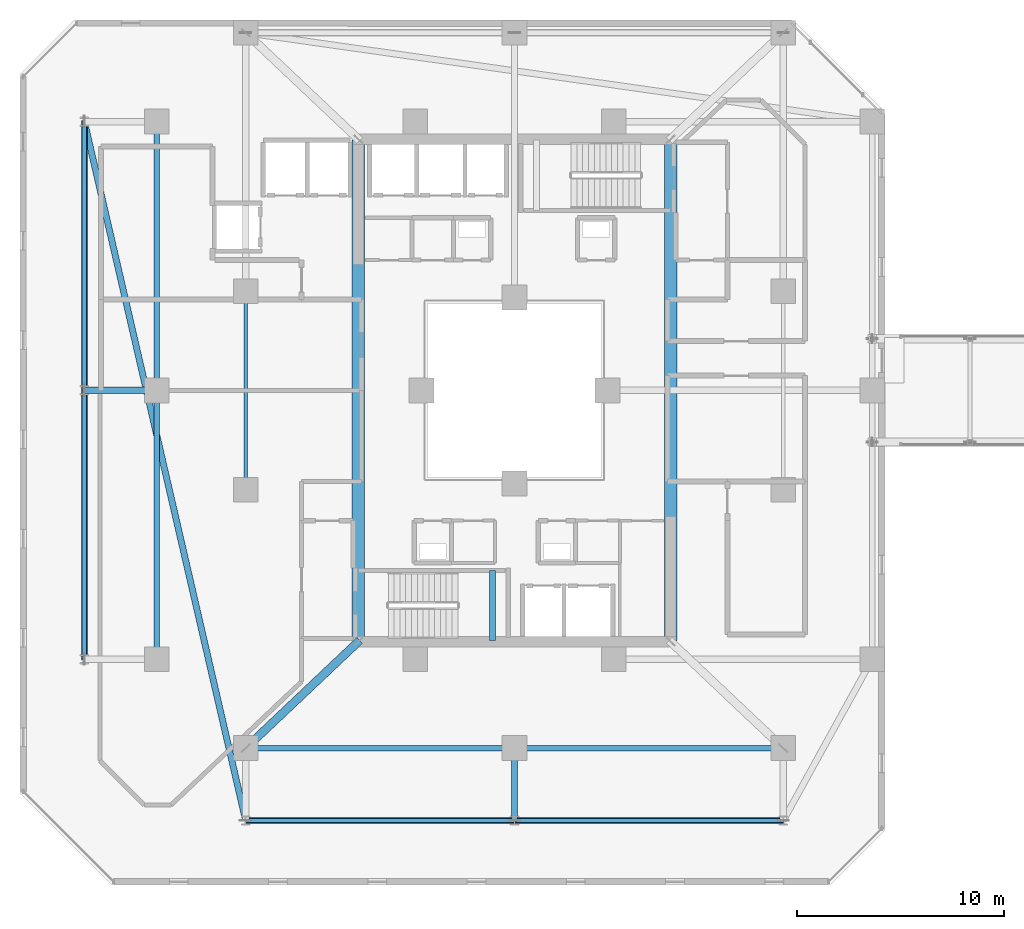
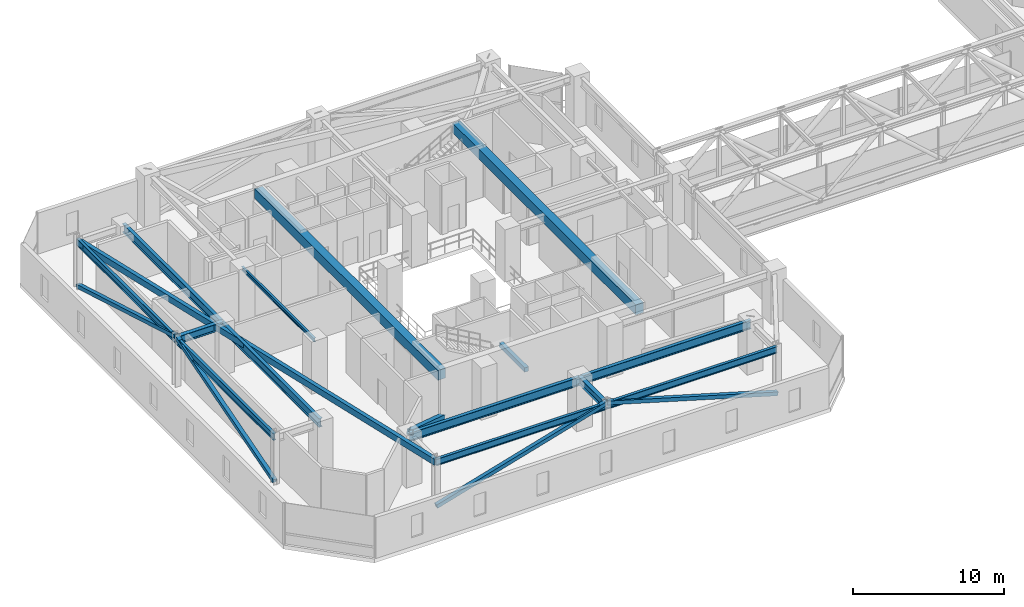
# One storey, part 4 of 45: 15 beams, 5 members.
"""IFC4 building model written with IfcOpenShell, lengths in metres."""

from ifc_helpers import new_model, si_unit, direction, frame, origin, origin_2d, place, context, subcontext, project, spatial, rectangle, hollow_rectangle, i_section, extrude, material, material_profile, profile_set, type_object, element, save


model = new_model("IFC4")

# Units and contexts
model_context = context("Model", 3, precision=1e-05, world=origin(), true_north=direction((0.0, 1.0)))
body_context = subcontext(model_context, "Body", "Model", "MODEL_VIEW")
ifc_project = project(units=[si_unit("LENGTHUNIT", "METRE"), si_unit("AREAUNIT", "SQUARE_METRE"), si_unit("VOLUMEUNIT", "CUBIC_METRE"), si_unit("PLANEANGLEUNIT", "RADIAN"), si_unit("MASSUNIT", "GRAM", prefix="KILO")], contexts=[model_context])

# Site, building, storey
site_placement = place(None, origin())
site = spatial("IfcSite", under=ifc_project, at=site_placement, CompositionType="ELEMENT")
building_placement = place(site_placement, origin())
building = spatial("IfcBuilding", under=site, at=building_placement, Name="Thornwick Lancets Civic Towers", CompositionType="ELEMENT")
storey_placement = place(building_placement, frame((0.0, 0.0, 141.300048828125)))
storey = spatial("IfcBuildingStorey", under=building, at=storey_placement, Name="L37", CompositionType="ELEMENT", Elevation=141.300048828125)

# Beams
ifc_material_1 = material(Name="Concrete C60/75", Category="concrete")
ifc_material_profile_1 = material_profile(ifc_material_1, rectangle(XDim=0.60009765625, YDim=0.800048828125, at=origin_2d()), Name="RC 600x800")
ifc_profile_set_1 = profile_set([ifc_material_profile_1], Name="Concrete C60/75")
beam_type_1 = type_object("IfcBeamType", Name="BM_COUP_RC800", PredefinedType="BEAM", material=ifc_profile_set_1)
for number, where, z_axis, x_axis, name in (
    (1, (33.050048828125, 14.89990234375, 3.56005859375), (0.0, 1.0, 0.0), (-1.0, 0.0, 0.0), "CB-L37-A1"),
    (2, (17.949951171875, 14.89990234375, 3.56005859375), (0.0, 1.0, 0.0), (-1.0, 0.0, 0.0), "CB-L37-A2"),
):
    element("IfcBeam", number, at=place(storey_placement, frame(where, z_axis=z_axis, x_axis=x_axis)), inside=storey, type_object=beam_type_1, Name=name, PredefinedType="BEAM", context=body_context, shape_type="SweptSolid", body=[
        extrude(rectangle(XDim=0.60009765625, YDim=0.800048828125, at=origin_2d()), origin(), (0.0, 0.0, 1.0), 24.2001953125),
    ])
ifc_material_2 = material(Name="Steel S355JR", Category="steel")
ifc_material_profile_2 = material_profile(ifc_material_2, i_section(OverallWidth=0.2119140625, OverallDepth=0.54443359375, WebThickness=0.0126953125, FlangeThickness=0.021240234375, FilletRadius=0.0126953125, at=origin_2d()), Name="UKB 533x210x122")
ifc_profile_set_2 = profile_set([ifc_material_profile_2], Name="Steel S355JR")
beam_type_2 = type_object("IfcBeamType", Name="BM_EDGE_533_122", PredefinedType="SPANDREL", material=ifc_profile_set_2)
beam_1_placement = place(storey_placement, frame((12.5, 6.199951171875, 3.687744140625), z_axis=(1.0, 0.0, 0.0), x_axis=(0.0, 1.0, 0.0)))
element("IfcBeam", 3, at=beam_1_placement, inside=storey, type_object=beam_type_2, Name="BM-EDGE-L37-A-S0-1", PredefinedType="SPANDREL", context=body_context, shape_type="SweptSolid", body=[
    extrude(i_section(OverallWidth=0.2119140625, OverallDepth=0.54443359375, WebThickness=0.0126953125, FlangeThickness=0.021240234375, FilletRadius=0.0126953125, at=origin_2d()), origin(), (0.0, 0.0, 1.0), 13.0),
])
beam_2_placement = place(storey_placement, frame((25.580078125, 6.199951171875, 3.687744140625), z_axis=(1.0, 0.0, 0.0), x_axis=(0.0, 1.0, 0.0)))
element("IfcBeam", 4, at=beam_2_placement, inside=storey, type_object=beam_type_2, Name="BM-EDGE-L37-A-S0-2", PredefinedType="SPANDREL", context=body_context, shape_type="SweptSolid", body=[
    extrude(i_section(OverallWidth=0.2119140625, OverallDepth=0.54443359375, WebThickness=0.0126953125, FlangeThickness=0.021240234375, FilletRadius=0.0126953125, at=origin_2d()), origin(), (0.0, 0.0, 1.0), 12.919921875),
])
beam_3_placement = place(storey_placement, frame((4.699951171875, 14.0, 3.687744140625), z_axis=(0.0, 1.0, 0.0), x_axis=(-1.0, 0.0, 0.0)))
element("IfcBeam", 5, at=beam_3_placement, inside=storey, type_object=beam_type_2, Name="BM-EDGE-L37-A-S3-1", PredefinedType="SPANDREL", context=body_context, shape_type="SweptSolid", body=[
    extrude(i_section(OverallWidth=0.2119140625, OverallDepth=0.54443359375, WebThickness=0.0126953125, FlangeThickness=0.021240234375, FilletRadius=0.0126953125, at=origin_2d()), origin(), (0.0, 0.0, 1.0), 13.0),
])
beam_4_placement = place(storey_placement, frame((4.699951171875, 27.080078125, 3.687744140625), z_axis=(0.0, 1.0, 0.0), x_axis=(-1.0, 0.0, 0.0)))
element("IfcBeam", 6, at=beam_4_placement, inside=storey, type_object=beam_type_2, Name="BM-EDGE-L37-A-S3-2", PredefinedType="SPANDREL", context=body_context, shape_type="SweptSolid", body=[
    extrude(i_section(OverallWidth=0.2119140625, OverallDepth=0.54443359375, WebThickness=0.0126953125, FlangeThickness=0.021240234375, FilletRadius=0.0126953125, at=origin_2d()), origin(), (0.0, 0.0, 1.0), 12.919921875),
])
ifc_material_profile_3 = material_profile(ifc_material_2, i_section(OverallWidth=0.30712890625, OverallDepth=0.6201171875, WebThickness=0.01416015625, FlangeThickness=0.023681640625, FilletRadius=0.0166015625, at=origin_2d()), Name="UKB 610x305x179")
ifc_profile_set_3 = profile_set([ifc_material_profile_3], Name="Steel S355JR")
beam_type_3 = type_object("IfcBeamType", Name="BM_GIRD_610_179", PredefinedType="BEAM", material=ifc_profile_set_3)
for number, where, z_axis, x_axis, name in (
    (7, (25.5, 9.699951171875, 3.64990234375), (0.0, -1.0, 0.0), (1.0, 0.0, 0.0), "BM-RAD-L37-A02"),
    (8, (8.199951171875, 27.0, 3.64990234375), (-1.0, 0.0, 0.0), (0.0, -1.0, 0.0), "BM-RAD-L37-A11"),
):
    element("IfcBeam", number, at=place(storey_placement, frame(where, z_axis=z_axis, x_axis=x_axis)), inside=storey, type_object=beam_type_3, Name=name, PredefinedType="BEAM", context=body_context, shape_type="SweptSolid", body=[
        extrude(i_section(OverallWidth=0.30712890625, OverallDepth=0.6201171875, WebThickness=0.01416015625, FlangeThickness=0.023681640625, FilletRadius=0.0166015625, at=origin_2d()), origin(), (0.0, 0.0, 1.0), 3.5),
    ])
ifc_material_profile_4 = material_profile(ifc_material_2, i_section(OverallWidth=0.255859375, OverallDepth=0.69287109375, WebThickness=0.014404296875, FlangeThickness=0.023681640625, FilletRadius=0.01513671875, at=origin_2d()), Name="UKB 686x254x170")
ifc_profile_set_4 = profile_set([ifc_material_profile_4], Name="Steel S355JR")
beam_type_4 = type_object("IfcBeamType", Name="BM_GIRD_686_170", PredefinedType="BEAM", material=ifc_profile_set_4)
beam_5_placement = place(storey_placement, frame((12.5, 9.699951171875, 3.613525390625), z_axis=(1.0, 0.0, 0.0), x_axis=(0.0, 1.0, 0.0)))
element("IfcBeam", 9, at=beam_5_placement, inside=storey, type_object=beam_type_4, Name="BM-SPINE-L37-A-0-1", PredefinedType="BEAM", context=body_context, shape_type="SweptSolid", body=[
    extrude(i_section(OverallWidth=0.255859375, OverallDepth=0.69287109375, WebThickness=0.014404296875, FlangeThickness=0.023681640625, FilletRadius=0.01513671875, at=origin_2d()), origin(), (0.0, 0.0, 1.0), 13.0),
])
beam_6_placement = place(storey_placement, frame((25.580078125, 9.699951171875, 3.613525390625), z_axis=(1.0, 0.0, 0.0), x_axis=(0.0, 1.0, 0.0)))
element("IfcBeam", 10, at=beam_6_placement, inside=storey, type_object=beam_type_4, Name="BM-SPINE-L37-A-1-2", PredefinedType="BEAM", context=body_context, shape_type="SweptSolid", body=[
    extrude(i_section(OverallWidth=0.255859375, OverallDepth=0.69287109375, WebThickness=0.014404296875, FlangeThickness=0.023681640625, FilletRadius=0.01513671875, at=origin_2d()), origin(), (0.0, 0.0, 1.0), 12.919921875),
])
beam_7_placement = place(storey_placement, frame((8.199951171875, 14.0, 3.613525390625), z_axis=(0.0, 1.0, 0.0), x_axis=(-1.0, 0.0, 0.0)))
element("IfcBeam", 11, at=beam_7_placement, inside=storey, type_object=beam_type_4, Name="BM-SPINE-L37-A-9-10", PredefinedType="BEAM", context=body_context, shape_type="SweptSolid", body=[
    extrude(i_section(OverallWidth=0.255859375, OverallDepth=0.69287109375, WebThickness=0.014404296875, FlangeThickness=0.023681640625, FilletRadius=0.01513671875, at=origin_2d()), origin(), (0.0, 0.0, 1.0), 13.0),
])
beam_8_placement = place(storey_placement, frame((8.199951171875, 27.080078125, 3.613525390625), z_axis=(0.0, 1.0, 0.0), x_axis=(-1.0, 0.0, 0.0)))
element("IfcBeam", 12, at=beam_8_placement, inside=storey, type_object=beam_type_4, Name="BM-SPINE-L37-A-10-11", PredefinedType="BEAM", context=body_context, shape_type="SweptSolid", body=[
    extrude(i_section(OverallWidth=0.255859375, OverallDepth=0.69287109375, WebThickness=0.014404296875, FlangeThickness=0.023681640625, FilletRadius=0.01513671875, at=origin_2d()), origin(), (0.0, 0.0, 1.0), 12.919921875),
])
ifc_material_profile_5 = material_profile(ifc_material_2, i_section(OverallWidth=0.1669921875, OverallDepth=0.310302734375, WebThickness=0.0078125, FlangeThickness=0.013671875, FilletRadius=0.0087890625, at=origin_2d()), Name="UKB 305x165x54")
ifc_profile_set_5 = profile_set([ifc_material_profile_5], Name="Steel S355JR")
beam_type_5 = type_object("IfcBeamType", Name="BM_LINTEL_305_54", PredefinedType="LINTEL", material=ifc_profile_set_5)
beam_9_placement = place(storey_placement, frame((12.5, 22.199951171875, 3.8046875), z_axis=(0.0, 1.0, 0.0), x_axis=(-1.0, 0.0, 0.0)))
element("IfcBeam", 13, at=beam_9_placement, inside=storey, type_object=beam_type_5, Name="BM-INSP-L37-A-0-2", PredefinedType="LINTEL", context=body_context, shape_type="SweptSolid", body=[
    extrude(i_section(OverallWidth=0.1669921875, OverallDepth=0.310302734375, WebThickness=0.0078125, FlangeThickness=0.013671875, FilletRadius=0.0087890625, at=origin_2d()), origin(), (0.0, 0.0, 1.0), 9.60009765625),
])
ifc_material_3 = material(Name="Steel S460M", Category="steel")
ifc_material_profile_6 = material_profile(ifc_material_3, hollow_rectangle(XDim=0.300048828125, YDim=0.5, WallThickness=0.02001953125, at=origin_2d()), Name="RHS 500x300x20")
ifc_profile_set_6 = profile_set([ifc_material_profile_6], Name="Steel S460M")
beam_type_6 = type_object("IfcBeamType", Name="BM_RING_RHS500", PredefinedType="BEAM", material=ifc_profile_set_6)
beam_10_placement = place(storey_placement, frame((4.699951171875, 40.0, 3.7099609375), z_axis=(0.224860534737, -0.974390958454, 0.0), x_axis=(0.974390958454, 0.224860534737, 0.0)))
element("IfcBeam", 14, at=beam_10_placement, inside=storey, type_object=beam_type_6, Name="BM-CHAMF-L37-A-C3", PredefinedType="BEAM", context=body_context, shape_type="SweptSolid", body=[
    extrude(hollow_rectangle(XDim=0.300048828125, YDim=0.5, WallThickness=0.02001953125, at=origin_2d()), origin(), (0.0, 0.0, 1.0), 34.6884765625),
])
ifc_material_4 = material(Name="Concrete C40/50", Category="concrete")
ifc_material_profile_7 = material_profile(ifc_material_4, rectangle(XDim=0.300048828125, YDim=0.35009765625, at=origin_2d()), Name="RC 300x350")
ifc_profile_set_7 = profile_set([ifc_material_profile_7], Name="Concrete C40/50")
beam_type_7 = type_object("IfcBeamType", Name="BM_STAIR_LDG", PredefinedType="BEAM", material=ifc_profile_set_7)
beam_11_placement = place(storey_placement, frame((24.43505859375, 14.89990234375, 1.677978515625), z_axis=(0.0, 1.0, 0.0), x_axis=(-1.0, 0.0, 0.0)))
element("IfcBeam", 15, at=beam_11_placement, inside=storey, type_object=beam_type_7, Name="L37 ST-A1 Landing Support Beam 1", PredefinedType="BEAM", context=body_context, shape_type="SweptSolid", body=[
    extrude(rectangle(XDim=0.300048828125, YDim=0.35009765625, at=origin_2d()), origin(), (0.0, 0.0, 1.0), 3.400146484375),
])

# Members
ifc_material_profile_8 = material_profile(ifc_material_3, hollow_rectangle(XDim=0.300048828125, YDim=0.300048828125, WallThickness=0.01611328125, at=origin_2d()), Name="SHS 300x300x16")
ifc_profile_set_8 = profile_set([ifc_material_profile_8], Name="Steel S460M")
member_type_1 = type_object("IfcMemberType", Name="MEM_BELT_SHS300", PredefinedType="BRACE", material=ifc_profile_set_8)
for number, where, z_axis, x_axis, name in (
    (16, (12.5, 6.199951171875, 0.14990234375), (0.959634246783, 0.0, 0.281250977601), (0.0, 1.0, 0.0), "L37 Belt Truss Diagonal A-S0-1"),
    (17, (38.5, 6.199951171875, 0.14990234375), (-0.959634246783, 0.0, 0.281250977601), (0.0, -1.0, 0.0), "L37 Belt Truss Diagonal A-S0-2"),
    (18, (4.699951171875, 14.0, 0.14990234375), (0.0, 0.959634246783, 0.281250977601), (-1.0, 0.0, 0.0), "L37 Belt Truss Diagonal A-S3-1"),
    (19, (4.699951171875, 40.0, 0.14990234375), (0.0, -0.959634246783, 0.281250977601), (1.0, 0.0, 0.0), "L37 Belt Truss Diagonal A-S3-2"),
):
    element("IfcMember", number, at=place(storey_placement, frame(where, z_axis=z_axis, x_axis=x_axis)), inside=storey, type_object=member_type_1, Name=name, PredefinedType="BRACE", context=body_context, shape_type="SweptSolid", body=[
        extrude(hollow_rectangle(XDim=0.300048828125, YDim=0.300048828125, WallThickness=0.01611328125, at=origin_2d()), origin(), (0.0, 0.0, 1.0), 13.546875),
    ])
ifc_material_profile_9 = material_profile(ifc_material_3, hollow_rectangle(XDim=0.39990234375, YDim=0.39990234375, WallThickness=0.02001953125, at=origin_2d()), Name="SHS 400x400x20")
ifc_profile_set_9 = profile_set([ifc_material_profile_9], Name="Steel S460M")
member_type_2 = type_object("IfcMemberType", Name="MEM_OUTRIG_SHS400", PredefinedType="BRACE", material=ifc_profile_set_9)
member_placement = place(storey_placement, frame((17.949951171875, 14.85009765625, 0.14990234375), z_axis=(-0.6479661798, -0.612321218604, 0.452992886349), x_axis=(0.686832880872, -0.726815378038, 0.0)))
element("IfcMember", 20, at=member_placement, inside=storey, type_object=member_type_2, Name="L37 Outrigger Brace A-2", PredefinedType="BRACE", context=body_context, shape_type="SweptSolid", body=[
    extrude(hollow_rectangle(XDim=0.39990234375, YDim=0.39990234375, WallThickness=0.02001953125, at=origin_2d()), origin(), (0.0, 0.0, 1.0), 8.410888671875),
])

save(model, "model.ifc")
